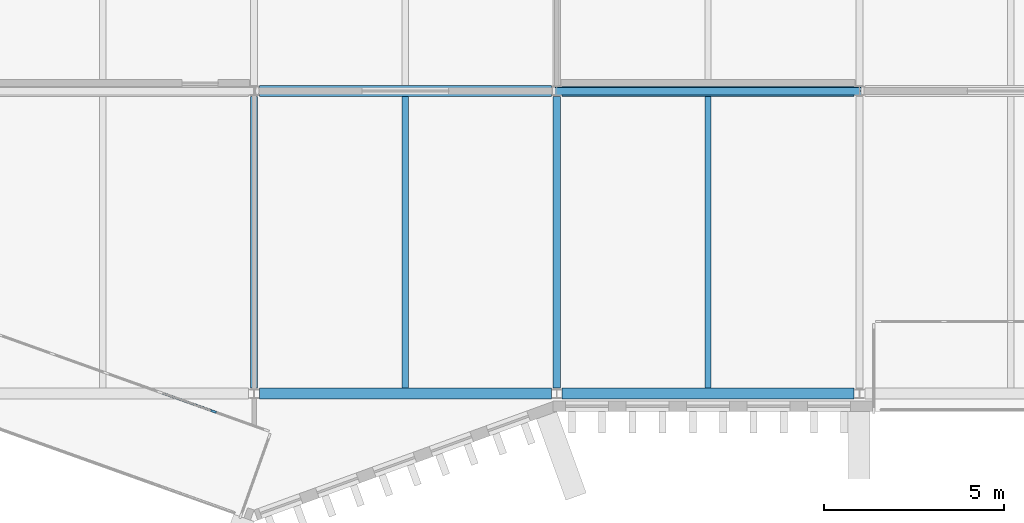
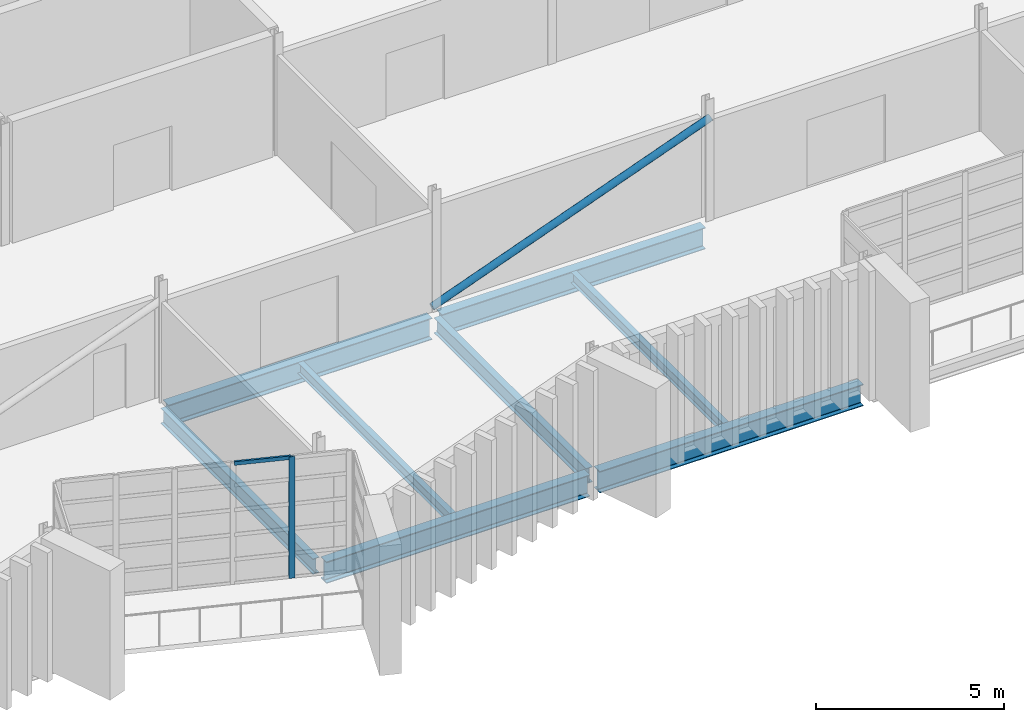
# One storey, part 19 of 88: 8 beams, 3 members, 1 element without a shape of its own.
"""IFC4 building model written with IfcOpenShell, lengths in metres."""

from ifc_helpers import new_model, si_unit, direction, frame, origin, origin_2d, place, context, subcontext, project, spatial, rectangle, hollow_circle, i_section, extrude, material, layer, layer_set, material_profile, profile_set, type_object, element, aggregate, save


model = new_model("IFC4")

# Units and contexts
model_context = context("Model", 3, precision=1e-05, world=origin(), true_north=direction((0.0, 1.0)))
body_context = subcontext(model_context, "Body", "Model", "MODEL_VIEW")
ifc_project = project(units=[si_unit("LENGTHUNIT", "METRE"), si_unit("AREAUNIT", "SQUARE_METRE"), si_unit("VOLUMEUNIT", "CUBIC_METRE"), si_unit("PLANEANGLEUNIT", "RADIAN"), si_unit("MASSUNIT", "GRAM", prefix="KILO")], contexts=[model_context])

# Site, building, storey
site_placement = place(None, origin())
site = spatial("IfcSite", under=ifc_project, at=site_placement, CompositionType="ELEMENT")
building_placement = place(site_placement, origin())
building = spatial("IfcBuilding", under=site, at=building_placement, Name="Cresset Court Congress Hotel", CompositionType="ELEMENT")
storey_placement = place(building_placement, frame((0.0, 0.0, 14.39990234375)))
storey = spatial("IfcBuildingStorey", under=building, at=storey_placement, Name="L03", CompositionType="ELEMENT", Elevation=14.39990234375)

# Curtain wall, members
ifc_material_1 = material(Name="Aluminium frame with double glazing", Category="aluminium")
ifc_layer = layer(ifc_material_1, 0.199951171875)
ifc_layer_set = layer_set([ifc_layer], Name="Glazed box curtain wall 1680 module")
curtain_wall_type = type_object("IfcCurtainWallType", Name="Glazed box curtain wall 1680 module", PredefinedType="NOTDEFINED", material=ifc_layer_set)
curtain_wall_placement = place(storey_placement, origin())
curtain_wall = element("IfcCurtainWall", 1, at=curtain_wall_placement, inside=storey, type_object=curtain_wall_type, Name="Glazed box S0308 front", PredefinedType="NOTDEFINED")
ifc_material_2 = material(Name="Aluminium", Category="aluminium")
ifc_material_profile_1 = material_profile(ifc_material_2, rectangle(XDim=0.06005859375, YDim=0.159912109375, at=origin_2d()), Name="Box mullion 60x160")
ifc_profile_set_1 = profile_set([ifc_material_profile_1], Name="Aluminium")
member_type_1 = type_object("IfcMemberType", Name="Box mullion 60x160", PredefinedType="MULLION", material=ifc_profile_set_1)
member_1_placement = place(storey_placement, frame((57.67822265625, -0.49462890625, 0.0), z_axis=(0.0, 0.0, 1.0), x_axis=(0.336336396981, 0.941741911601, 0.0)))
member_1 = element("IfcMember", 2, at=member_1_placement, type_object=member_type_1, Name="B-X1 mullion 5", PredefinedType="MULLION", context=body_context, shape_type="SweptSolid", body=[
    extrude(rectangle(XDim=0.06005859375, YDim=0.159912109375, at=origin_2d()), origin(), (0.0, 0.0, 1.0), 3.9501953125),
])
ifc_material_3 = material(Name="Aluminium", Category="aluminium")
ifc_material_profile_2 = material_profile(ifc_material_3, rectangle(XDim=0.06005859375, YDim=0.1201171875, at=origin_2d()), Name="Box transom 60x120")
ifc_profile_set_2 = profile_set([ifc_material_profile_2], Name="Aluminium")
member_type_2 = type_object("IfcMemberType", Name="Box transom 60x120", PredefinedType="USERDEFINED", material=ifc_profile_set_2)
member_2_placement = place(storey_placement, frame((56.21484375, 0.02783203125, 3.920166015625), z_axis=(0.941774525646, -0.336245063673, 0.0), x_axis=(0.336245063673, 0.941774525646, 0.0)))
member_2 = element("IfcMember", 3, at=member_2_placement, type_object=member_type_2, Name="B-X1 transom 4.6", ObjectType="TRANSOM", PredefinedType="USERDEFINED", context=body_context, shape_type="SweptSolid", body=[
    extrude(rectangle(XDim=0.06005859375, YDim=0.1201171875, at=origin_2d()), origin(), (0.0, 0.0, 1.0), 1.52392578125),
])
aggregate(curtain_wall, [member_1, member_2])

# Beams
ifc_material_4 = material(Name="Structural steel Q355B", Category="steel")
ifc_material_profile_3 = material_profile(ifc_material_4, i_section(OverallWidth=0.199951171875, OverallDepth=0.5, WebThickness=0.010009765625, FlangeThickness=0.01611328125, FilletRadius=0.012939453125, at=origin_2d()), Name="HN500x200x10x16")
ifc_profile_set_3 = profile_set([ifc_material_profile_3], Name="Structural steel Q355B")
beam_type_1 = type_object("IfcBeamType", Name="Steel beam HN500x200x10x16", PredefinedType="BEAM", material=ifc_profile_set_3)
for number, where, z_axis, x_axis, name in (
    (4, (58.800048828125, 0.14990234375, -0.39990234375), (0.0, 1.0, 0.0), (-1.0, 0.0, 0.0), "B.by.L03.08A"),
    (5, (67.199951171875, 0.14990234375, -0.39990234375), (0.0, 1.0, 0.0), (-1.0, 0.0, 0.0), "B.by.L03.09A"),
):
    element("IfcBeam", number, at=place(storey_placement, frame(where, z_axis=z_axis, x_axis=x_axis)), inside=storey, type_object=beam_type_1, Name=name, PredefinedType="BEAM", context=body_context, shape_type="SweptSolid", body=[
        extrude(i_section(OverallWidth=0.199951171875, OverallDepth=0.5, WebThickness=0.010009765625, FlangeThickness=0.01611328125, FilletRadius=0.012939453125, at=origin_2d()), origin(), (0.0, 0.0, 1.0), 8.10009765625),
    ])
ifc_material_5 = material(Name="Structural steel Q355B", Category="steel")
ifc_material_profile_4 = material_profile(ifc_material_5, i_section(OverallWidth=0.300048828125, OverallDepth=0.699951171875, WebThickness=0.012939453125, FlangeThickness=0.02392578125, FilletRadius=0.01806640625, at=origin_2d()), Name="HN700x300x13x24")
ifc_profile_set_4 = profile_set([ifc_material_profile_4], Name="Structural steel Q355B")
beam_type_2 = type_object("IfcBeamType", Name="Steel beam HN700x300x13x24", PredefinedType="BEAM", material=ifc_profile_set_4)
beam_1_placement = place(storey_placement, frame((58.949951171875, 0.0, -0.5), z_axis=(1.0, 0.0, 0.0), x_axis=(0.0, 1.0, 0.0)))
element("IfcBeam", 6, at=beam_1_placement, inside=storey, type_object=beam_type_2, Name="B.bx.L03.A08", PredefinedType="BEAM", context=body_context, shape_type="SweptSolid", body=[
    extrude(i_section(OverallWidth=0.300048828125, OverallDepth=0.699951171875, WebThickness=0.012939453125, FlangeThickness=0.02392578125, FilletRadius=0.01806640625, at=origin_2d()), origin(), (0.0, 0.0, 1.0), 8.10009765625),
])
beam_2_placement = place(storey_placement, frame((67.35009765625, 0.0, -0.5), z_axis=(1.0, 0.0, 0.0), x_axis=(0.0, 1.0, 0.0)))
element("IfcBeam", 7, at=beam_2_placement, inside=storey, type_object=beam_type_2, Name="B.bx.L03.A09", PredefinedType="BEAM", context=body_context, shape_type="SweptSolid", body=[
    extrude(i_section(OverallWidth=0.300048828125, OverallDepth=0.699951171875, WebThickness=0.012939453125, FlangeThickness=0.02392578125, FilletRadius=0.01806640625, at=origin_2d()), origin(), (0.0, 0.0, 1.0), 8.099853515625),
])
beam_3_placement = place(storey_placement, frame((58.949951171875, 8.39990234375, -0.5), z_axis=(1.0, 0.0, 0.0), x_axis=(0.0, 1.0, 0.0)))
element("IfcBeam", 8, at=beam_3_placement, inside=storey, type_object=beam_type_2, Name="B.bx.L03.B08", PredefinedType="BEAM", context=body_context, shape_type="SweptSolid", body=[
    extrude(i_section(OverallWidth=0.300048828125, OverallDepth=0.699951171875, WebThickness=0.012939453125, FlangeThickness=0.02392578125, FilletRadius=0.01806640625, at=origin_2d()), origin(), (0.0, 0.0, 1.0), 8.10009765625),
])
beam_4_placement = place(storey_placement, frame((67.35009765625, 8.39990234375, -0.5), z_axis=(1.0, 0.0, 0.0), x_axis=(0.0, 1.0, 0.0)))
element("IfcBeam", 9, at=beam_4_placement, inside=storey, type_object=beam_type_2, Name="B.bx.L03.B09", PredefinedType="BEAM", context=body_context, shape_type="SweptSolid", body=[
    extrude(i_section(OverallWidth=0.300048828125, OverallDepth=0.699951171875, WebThickness=0.012939453125, FlangeThickness=0.02392578125, FilletRadius=0.01806640625, at=origin_2d()), origin(), (0.0, 0.0, 1.0), 8.099853515625),
])

# Member
ifc_material_6 = material(Name="Structural steel Q355B", Category="steel")
ifc_material_profile_5 = material_profile(ifc_material_6, hollow_circle(Radius=0.109619140625, WallThickness=0.010009765625, at=origin_2d()), Name="CHS219x10")
ifc_profile_set_5 = profile_set([ifc_material_profile_5], Name="Structural steel Q355B")
member_type_3 = type_object("IfcMemberType", Name="Steel brace CHS219x10", PredefinedType="BRACE", material=ifc_profile_set_5)
member_3_placement = place(storey_placement, frame((67.125, 8.39990234375, 0.10009765625), z_axis=(0.937990522981, 0.0, 0.346660898859), x_axis=(0.0, 1.0, 0.0)))
element("IfcMember", 10, at=member_3_placement, inside=storey, type_object=member_type_3, Name="Brace L03 9", PredefinedType="BRACE", context=body_context, shape_type="SweptSolid", body=[
    extrude(hollow_circle(Radius=0.109619140625, WallThickness=0.010009765625, at=origin_2d()), origin(), (0.0, 0.0, 1.0), 9.115234375),
])

# Beams
ifc_material_7 = material(Name="Structural steel Q355B", Category="steel")
ifc_material_profile_6 = material_profile(ifc_material_7, i_section(OverallWidth=0.175048828125, OverallDepth=0.35009765625, WebThickness=0.007080078125, FlangeThickness=0.010986328125, FilletRadius=0.012939453125, at=origin_2d()), Name="HN350x175x7x11")
ifc_profile_set_6 = profile_set([ifc_material_profile_6], Name="Structural steel Q355B")
beam_type_3 = type_object("IfcBeamType", Name="Steel joist HN350x175x7x11", PredefinedType="JOIST", material=ifc_profile_set_6)
for number, where, z_axis, x_axis, name in (
    (11, (63.0, 0.14990234375, -0.324951171875), (0.0, 1.0, 0.0), (-1.0, 0.0, 0.0), "B.bj.L03.08A"),
    (12, (71.39990234375, 0.14990234375, -0.324951171875), (0.0, 1.0, 0.0), (-1.0, 0.0, 0.0), "B.bj.L03.09A"),
):
    element("IfcBeam", number, at=place(storey_placement, frame(where, z_axis=z_axis, x_axis=x_axis)), inside=storey, type_object=beam_type_3, Name=name, PredefinedType="JOIST", context=body_context, shape_type="SweptSolid", body=[
        extrude(i_section(OverallWidth=0.175048828125, OverallDepth=0.35009765625, WebThickness=0.007080078125, FlangeThickness=0.010986328125, FilletRadius=0.012939453125, at=origin_2d()), origin(), (0.0, 0.0, 1.0), 8.10009765625),
    ])

save(model, "model.ifc")
